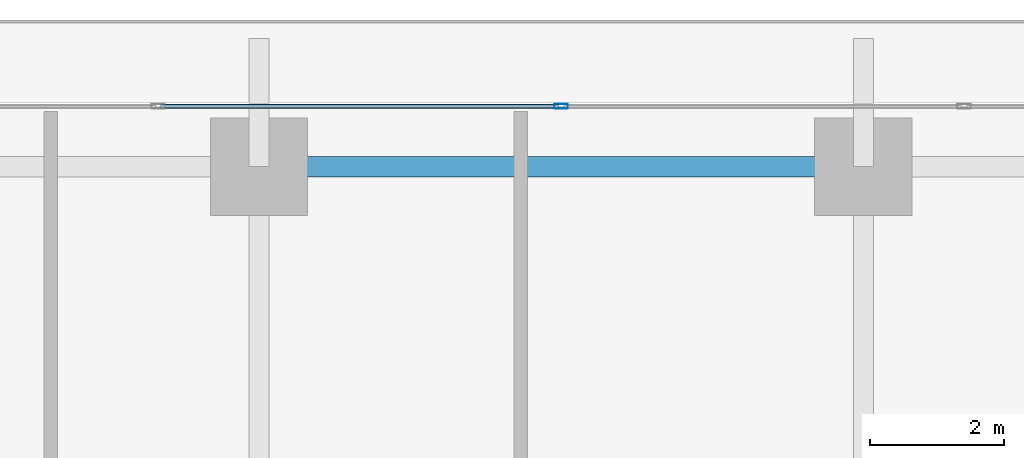
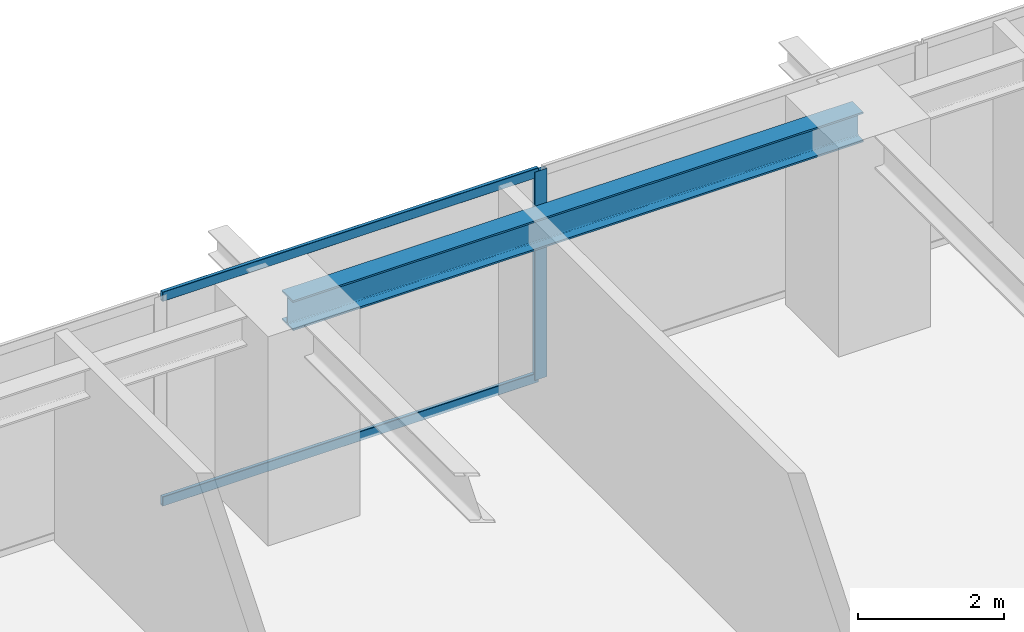
# One storey, part 21 of 40: 3 members, 1 beam, 1 element without a shape of its own.
"""IFC4 building model written with IfcOpenShell, lengths in metres."""

from ifc_helpers import new_model, si_unit, direction, frame, origin, origin_2d, place, context, subcontext, project, spatial, hollow_rectangle, i_section, extrude, source, transform, mapped, material, layer, layer_set, material_profile, profile_set, type_object, element, aggregate, save


model = new_model("IFC4")

# Units and contexts
model_context = context("Model", 3, precision=1e-05, world=origin(), true_north=direction((0.0, 1.0)))
body_context = subcontext(model_context, "Body", "Model", "MODEL_VIEW")
ifc_project = project(units=[si_unit("LENGTHUNIT", "METRE"), si_unit("AREAUNIT", "SQUARE_METRE"), si_unit("VOLUMEUNIT", "CUBIC_METRE"), si_unit("PLANEANGLEUNIT", "RADIAN"), si_unit("MASSUNIT", "GRAM", prefix="KILO")], contexts=[model_context])

# Site, building, storey
site_placement = place(None, origin())
site = spatial("IfcSite", under=ifc_project, at=site_placement, CompositionType="ELEMENT")
building_placement = place(site_placement, origin())
building = spatial("IfcBuilding", under=site, at=building_placement, Name="Serunith Strait Residences", CompositionType="ELEMENT")
storey_placement = place(building_placement, frame((0.0, 0.0, 90.449951171875)))
storey = spatial("IfcBuildingStorey", under=building, at=storey_placement, Name="L22", CompositionType="ELEMENT", Elevation=90.449951171875)

# Beam
ifc_material_1 = material(Name="Steel S355J2", Category="steel")
ifc_material_profile_1 = material_profile(ifc_material_1, i_section(OverallWidth=0.300048828125, OverallDepth=0.5, WebThickness=0.014404296875, FlangeThickness=0.028076171875, FilletRadius=0.027099609375, at=origin_2d()), Name="HEB 500")
ifc_profile_set_1 = profile_set([ifc_material_profile_1], Name="Steel S355J2")
beam_type = type_object("IfcBeamType", Name="BM-HEB500", PredefinedType="BEAM", material=ifc_profile_set_1)
shared_shape_1 = source(origin(), body_context, "Body", "SweptSolid", [
    extrude(i_section(OverallWidth=0.300048828125, OverallDepth=0.5, WebThickness=0.014404296875, FlangeThickness=0.028076171875, FilletRadius=0.027099609375, at=origin_2d()), origin(), (0.0, 0.0, 1.0), 9.0),
])
beam_placement = place(storey_placement, frame((36.89990234375, 49.300048828125, 3.237060546875), z_axis=(-1.0, 0.0, 0.0), x_axis=(0.0, -1.0, 0.0)))
element("IfcBeam", 1, at=beam_placement, inside=storey, type_object=beam_type, Name="L22 Perimeter Ring Beam 10", PredefinedType="BEAM", context=body_context, shape_type="MappedRepresentation", body=[
    mapped(shared_shape_1, transform((0.0, 0.0, 0.0), scale=1.0)),
])

# Curtain wall, members
ifc_material_2 = material(Name="Pale-Champagne Anodised Aluminium", Category="aluminium")
ifc_layer = layer(ifc_material_2, 0.199951171875, Name="Pale-Champagne Anodised Aluminium")
ifc_layer_set = layer_set([ifc_layer], Name="Pale-Champagne Anodised Aluminium")
curtain_wall_type = type_object("IfcCurtainWallType", Name="CW-SYS1", PredefinedType="NOTDEFINED", material=ifc_layer_set)
curtain_wall_placement = place(storey_placement, origin())
curtain_wall = element("IfcCurtainWall", 2, at=curtain_wall_placement, inside=storey, type_object=curtain_wall_type, Name="L22 N Unitised Fritted Curtain Wall", PredefinedType="NOTDEFINED")
ifc_material_profile_2 = material_profile(ifc_material_2, hollow_rectangle(XDim=0.070068359375, YDim=0.199951171875, WallThickness=0.00390625, InnerFilletRadius=0.006103515625, OuterFilletRadius=0.010009765625, at=origin_2d()), Name="ALU 200x70x4")
ifc_profile_set_2 = profile_set([ifc_material_profile_2], Name="Pale-Champagne Anodised Aluminium")
member_type_1 = type_object("IfcMemberType", Name="CW-SYS1-MULL", PredefinedType="MULLION", material=ifc_profile_set_2)
shared_shape_2 = source(origin(), body_context, "Body", "SweptSolid", [
    extrude(hollow_rectangle(XDim=0.070068359375, YDim=0.199951171875, WallThickness=0.00390625, InnerFilletRadius=0.006103515625, OuterFilletRadius=0.010009765625, at=origin_2d()), origin(), (0.0, 0.0, 1.0), 3.47509765625),
])
member_1_placement = place(storey_placement, frame((32.39990234375, 50.199951171875, 0.0), z_axis=(0.0, 0.0, 1.0), x_axis=(0.0, -1.0, 0.0)))
member_1 = element("IfcMember", 3, at=member_1_placement, type_object=member_type_1, Name="CW-1 mullion 4", PredefinedType="MULLION", context=body_context, shape_type="MappedRepresentation", body=[
    mapped(shared_shape_2, transform((0.0, 0.0, 0.0), scale=1.0)),
])
ifc_material_profile_3 = material_profile(ifc_material_2, hollow_rectangle(XDim=0.06005859375, YDim=0.159912109375, WallThickness=0.00341796875, InnerFilletRadius=0.00537109375, OuterFilletRadius=0.0087890625, at=origin_2d()), Name="ALU 160x60x3.5")
ifc_profile_set_3 = profile_set([ifc_material_profile_3], Name="Pale-Champagne Anodised Aluminium")
member_type_2 = type_object("IfcMemberType", Name="CW-SYS1-TRAN", PredefinedType="USERDEFINED", material=ifc_profile_set_3)
shared_shape_3 = source(origin(), body_context, "Body", "SweptSolid", [
    extrude(hollow_rectangle(XDim=0.06005859375, YDim=0.159912109375, WallThickness=0.00341796875, InnerFilletRadius=0.00537109375, OuterFilletRadius=0.0087890625, at=origin_2d()), origin(), (0.0, 0.0, 1.0), 5.929931640625),
])
member_2_placement = place(storey_placement, frame((32.364990234375, 50.199951171875, 0.030029296875), z_axis=(-1.0, 0.0, 0.0), x_axis=(0.0, -1.0, 0.0)))
member_2 = element("IfcMember", 4, at=member_2_placement, type_object=member_type_2, Name="CW-1 transom 4.1", ObjectType="TRANSOM", PredefinedType="USERDEFINED", context=body_context, shape_type="MappedRepresentation", body=[
    mapped(shared_shape_3, transform((0.0, 0.0, 0.0), scale=1.0)),
])
member_3_placement = place(storey_placement, frame((32.364990234375, 50.199951171875, 3.445068359375), z_axis=(-1.0, 0.0, 0.0), x_axis=(0.0, -1.0, 0.0)))
member_3 = element("IfcMember", 5, at=member_3_placement, type_object=member_type_2, Name="CW-1 transom 4.2", ObjectType="TRANSOM", PredefinedType="USERDEFINED", context=body_context, shape_type="MappedRepresentation", body=[
    mapped(shared_shape_3, transform((0.0, 0.0, 0.0), scale=1.0)),
])
aggregate(curtain_wall, [member_1, member_2, member_3])

save(model, "model.ifc")
